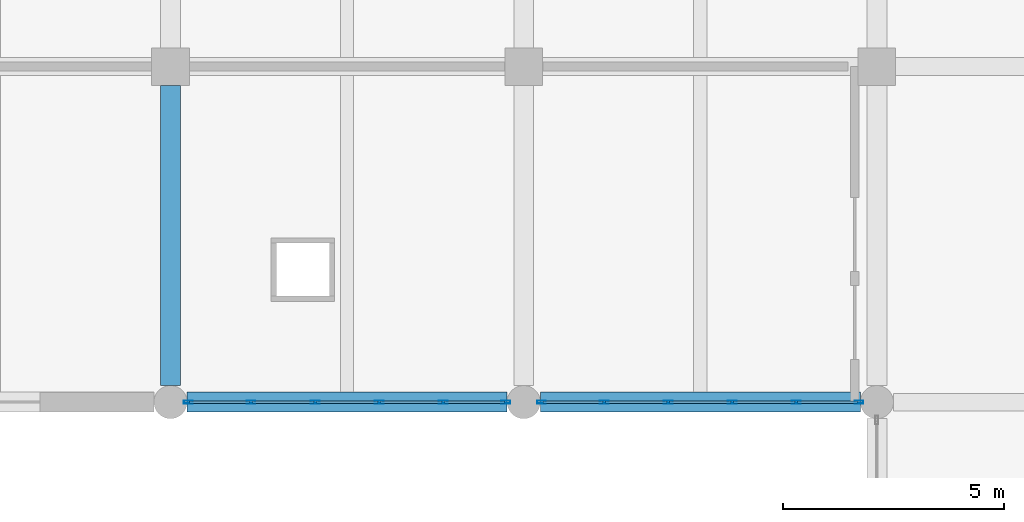
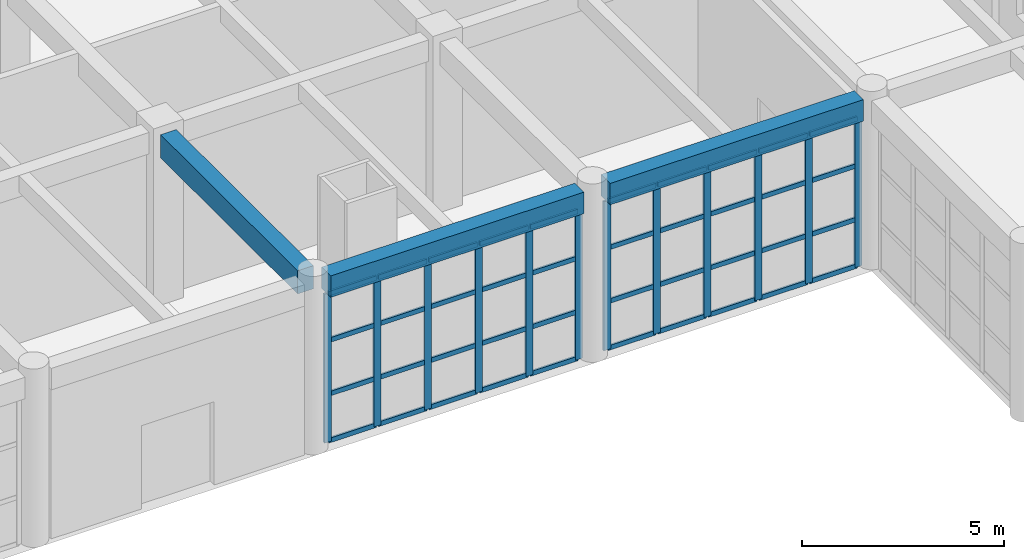
# One storey, part 40 of 95: 52 members, 3 beams, 2 elements without a shape of their own.
"""IFC4 building model written with IfcOpenShell, lengths in metres."""

from ifc_helpers import new_model, si_unit, direction, frame, origin, origin_2d, place, context, subcontext, project, spatial, rectangle, hollow_rectangle, extrude, material, material_profile, profile_set, type_object, element, aggregate, save


model = new_model("IFC4")

# Units and contexts
model_context = context("Model", 3, precision=1e-05, world=origin(), true_north=direction((0.0, 1.0)))
body_context = subcontext(model_context, "Body", "Model", "MODEL_VIEW")
ifc_project = project(units=[si_unit("LENGTHUNIT", "METRE"), si_unit("AREAUNIT", "SQUARE_METRE"), si_unit("VOLUMEUNIT", "CUBIC_METRE"), si_unit("PLANEANGLEUNIT", "RADIAN"), si_unit("MASSUNIT", "GRAM", prefix="KILO")], contexts=[model_context])

# Site, building, storey
site_placement = place(None, origin())
site = spatial("IfcSite", under=ifc_project, at=site_placement, CompositionType="ELEMENT")
building_placement = place(site_placement, origin())
building = spatial("IfcBuilding", under=site, at=building_placement, Name="Zantavel Square City Hall", CompositionType="ELEMENT")
storey_placement = place(building_placement, origin())
storey = spatial("IfcBuildingStorey", under=building, at=storey_placement, Name="L01", CompositionType="ELEMENT", Elevation=0.0)

# Curtain wall, members
ifc_material_1 = material(Name="Anodised aluminium 6063-T6", Category="aluminium")
curtain_wall_type = type_object("IfcCurtainWallType", Name="Curtain Wall CRT 7250x4510", PredefinedType="USERDEFINED", material=ifc_material_1)
curtain_wall_1_placement = place(storey_placement, origin())
curtain_wall_1 = element("IfcCurtainWall", 1, at=curtain_wall_1_placement, inside=storey, type_object=curtain_wall_type, Name="L01 Glazed Curtain Wall CW-L01-018", ObjectType="GLAZED CURTAIN WALL", PredefinedType="USERDEFINED")
ifc_material_profile_1 = material_profile(ifc_material_1, hollow_rectangle(XDim=0.070068359375, YDim=0.199951171875, WallThickness=0.00439453125, at=origin_2d()), Name="ALU 70x200x4.5")
ifc_profile_set_1 = profile_set([ifc_material_profile_1], Name="Anodised aluminium 6063-T6")
member_type_1 = type_object("IfcMemberType", Name="CW Heavy Hall Mullion ALU 70x200x4.5", PredefinedType="MULLION", material=ifc_profile_set_1)
member_1_placement = place(storey_placement, frame((47.594970703125, 68.39990234375, 0.0), z_axis=(0.0, 0.0, 1.0), x_axis=(0.0, -1.0, 0.0)))
member_1 = element("IfcMember", 2, at=member_1_placement, type_object=member_type_1, Name="CW-018 mullion 1", PredefinedType="MULLION", context=body_context, shape_type="SweptSolid", body=[
    extrude(hollow_rectangle(XDim=0.070068359375, YDim=0.199951171875, WallThickness=0.00439453125, at=origin_2d()), origin(), (0.0, 0.0, 1.0), 4.510009765625),
])
member_2_placement = place(storey_placement, frame((46.175048828125, 68.39990234375, 0.0), z_axis=(0.0, 0.0, 1.0), x_axis=(0.0, -1.0, 0.0)))
member_2 = element("IfcMember", 3, at=member_2_placement, type_object=member_type_1, Name="CW-018 mullion 2", PredefinedType="MULLION", context=body_context, shape_type="SweptSolid", body=[
    extrude(hollow_rectangle(XDim=0.070068359375, YDim=0.199951171875, WallThickness=0.00439453125, at=origin_2d()), origin(), (0.0, 0.0, 1.0), 4.510009765625),
])
member_3_placement = place(storey_placement, frame((44.72509765625, 68.39990234375, 0.0), z_axis=(0.0, 0.0, 1.0), x_axis=(0.0, -1.0, 0.0)))
member_3 = element("IfcMember", 4, at=member_3_placement, type_object=member_type_1, Name="CW-018 mullion 3", PredefinedType="MULLION", context=body_context, shape_type="SweptSolid", body=[
    extrude(hollow_rectangle(XDim=0.070068359375, YDim=0.199951171875, WallThickness=0.00439453125, at=origin_2d()), origin(), (0.0, 0.0, 1.0), 4.510009765625),
])
member_4_placement = place(storey_placement, frame((43.27490234375, 68.39990234375, 0.0), z_axis=(0.0, 0.0, 1.0), x_axis=(0.0, -1.0, 0.0)))
member_4 = element("IfcMember", 5, at=member_4_placement, type_object=member_type_1, Name="CW-018 mullion 4", PredefinedType="MULLION", context=body_context, shape_type="SweptSolid", body=[
    extrude(hollow_rectangle(XDim=0.070068359375, YDim=0.199951171875, WallThickness=0.00439453125, at=origin_2d()), origin(), (0.0, 0.0, 1.0), 4.510009765625),
])
member_5_placement = place(storey_placement, frame((41.824951171875, 68.39990234375, 0.0), z_axis=(0.0, 0.0, 1.0), x_axis=(0.0, -1.0, 0.0)))
member_5 = element("IfcMember", 6, at=member_5_placement, type_object=member_type_1, Name="CW-018 mullion 5", PredefinedType="MULLION", context=body_context, shape_type="SweptSolid", body=[
    extrude(hollow_rectangle(XDim=0.070068359375, YDim=0.199951171875, WallThickness=0.00439453125, at=origin_2d()), origin(), (0.0, 0.0, 1.0), 4.510009765625),
])
member_6_placement = place(storey_placement, frame((40.405029296875, 68.39990234375, 0.0), z_axis=(0.0, 0.0, 1.0), x_axis=(0.0, -1.0, 0.0)))
member_6 = element("IfcMember", 7, at=member_6_placement, type_object=member_type_1, Name="CW-018 mullion 6", PredefinedType="MULLION", context=body_context, shape_type="SweptSolid", body=[
    extrude(hollow_rectangle(XDim=0.070068359375, YDim=0.199951171875, WallThickness=0.00439453125, at=origin_2d()), origin(), (0.0, 0.0, 1.0), 4.510009765625),
])

curtain_wall_2_placement = place(storey_placement, origin())
curtain_wall_2 = element("IfcCurtainWall", 8, at=curtain_wall_2_placement, inside=storey, type_object=curtain_wall_type, Name="L01 Glazed Curtain Wall CW-L01-019", ObjectType="GLAZED CURTAIN WALL", PredefinedType="USERDEFINED")
member_7_placement = place(storey_placement, frame((39.594970703125, 68.39990234375, 0.0), z_axis=(0.0, 0.0, 1.0), x_axis=(0.0, -1.0, 0.0)))
member_7 = element("IfcMember", 9, at=member_7_placement, type_object=member_type_1, Name="CW-019 mullion 1", PredefinedType="MULLION", context=body_context, shape_type="SweptSolid", body=[
    extrude(hollow_rectangle(XDim=0.070068359375, YDim=0.199951171875, WallThickness=0.00439453125, at=origin_2d()), origin(), (0.0, 0.0, 1.0), 4.510009765625),
])
member_8_placement = place(storey_placement, frame((38.175048828125, 68.39990234375, 0.0), z_axis=(0.0, 0.0, 1.0), x_axis=(0.0, -1.0, 0.0)))
member_8 = element("IfcMember", 10, at=member_8_placement, type_object=member_type_1, Name="CW-019 mullion 2", PredefinedType="MULLION", context=body_context, shape_type="SweptSolid", body=[
    extrude(hollow_rectangle(XDim=0.070068359375, YDim=0.199951171875, WallThickness=0.00439453125, at=origin_2d()), origin(), (0.0, 0.0, 1.0), 4.510009765625),
])
member_9_placement = place(storey_placement, frame((36.72509765625, 68.39990234375, 0.0), z_axis=(0.0, 0.0, 1.0), x_axis=(0.0, -1.0, 0.0)))
member_9 = element("IfcMember", 11, at=member_9_placement, type_object=member_type_1, Name="CW-019 mullion 3", PredefinedType="MULLION", context=body_context, shape_type="SweptSolid", body=[
    extrude(hollow_rectangle(XDim=0.070068359375, YDim=0.199951171875, WallThickness=0.00439453125, at=origin_2d()), origin(), (0.0, 0.0, 1.0), 4.510009765625),
])
member_10_placement = place(storey_placement, frame((35.27490234375, 68.39990234375, 0.0), z_axis=(0.0, 0.0, 1.0), x_axis=(0.0, -1.0, 0.0)))
member_10 = element("IfcMember", 12, at=member_10_placement, type_object=member_type_1, Name="CW-019 mullion 4", PredefinedType="MULLION", context=body_context, shape_type="SweptSolid", body=[
    extrude(hollow_rectangle(XDim=0.070068359375, YDim=0.199951171875, WallThickness=0.00439453125, at=origin_2d()), origin(), (0.0, 0.0, 1.0), 4.510009765625),
])
member_11_placement = place(storey_placement, frame((33.824951171875, 68.39990234375, 0.0), z_axis=(0.0, 0.0, 1.0), x_axis=(0.0, -1.0, 0.0)))
member_11 = element("IfcMember", 13, at=member_11_placement, type_object=member_type_1, Name="CW-019 mullion 5", PredefinedType="MULLION", context=body_context, shape_type="SweptSolid", body=[
    extrude(hollow_rectangle(XDim=0.070068359375, YDim=0.199951171875, WallThickness=0.00439453125, at=origin_2d()), origin(), (0.0, 0.0, 1.0), 4.510009765625),
])
member_12_placement = place(storey_placement, frame((32.405029296875, 68.39990234375, 0.0), z_axis=(0.0, 0.0, 1.0), x_axis=(0.0, -1.0, 0.0)))
member_12 = element("IfcMember", 14, at=member_12_placement, type_object=member_type_1, Name="CW-019 mullion 6", PredefinedType="MULLION", context=body_context, shape_type="SweptSolid", body=[
    extrude(hollow_rectangle(XDim=0.070068359375, YDim=0.199951171875, WallThickness=0.00439453125, at=origin_2d()), origin(), (0.0, 0.0, 1.0), 4.510009765625),
])

# Member
ifc_material_profile_2 = material_profile(ifc_material_1, hollow_rectangle(XDim=0.06005859375, YDim=0.139892578125, WallThickness=0.00390625, at=origin_2d()), Name="ALU 60x140x4")
ifc_profile_set_2 = profile_set([ifc_material_profile_2], Name="Anodised aluminium 6063-T6")
member_type_2 = type_object("IfcMemberType", Name="CW Transom ALU 60x140x4", PredefinedType="USERDEFINED", material=ifc_profile_set_2)
member_13_placement = place(storey_placement, frame((47.56494140625, 68.39990234375, 0.030029296875), z_axis=(-1.0, 0.0, 0.0), x_axis=(0.0, -1.0, 0.0)))
member_13 = element("IfcMember", 15, at=member_13_placement, type_object=member_type_2, Name="CW-018 transom 1.1", ObjectType="TRANSOM", PredefinedType="USERDEFINED", context=body_context, shape_type="SweptSolid", body=[
    extrude(hollow_rectangle(XDim=0.06005859375, YDim=0.139892578125, WallThickness=0.00390625, at=origin_2d()), origin(), (0.0, 0.0, 1.0), 1.35986328125),
])

member_14_placement = place(storey_placement, frame((47.56494140625, 68.39990234375, 1.443115234375), z_axis=(-1.0, 0.0, 0.0), x_axis=(0.0, -1.0, 0.0)))
member_14 = element("IfcMember", 16, at=member_14_placement, type_object=member_type_2, Name="CW-018 transom 1.2", ObjectType="TRANSOM", PredefinedType="USERDEFINED", context=body_context, shape_type="SweptSolid", body=[
    extrude(hollow_rectangle(XDim=0.06005859375, YDim=0.139892578125, WallThickness=0.00390625, at=origin_2d()), origin(), (0.0, 0.0, 1.0), 1.35986328125),
])

member_15_placement = place(storey_placement, frame((47.56494140625, 68.39990234375, 3.06689453125), z_axis=(-1.0, 0.0, 0.0), x_axis=(0.0, -1.0, 0.0)))
member_15 = element("IfcMember", 17, at=member_15_placement, type_object=member_type_2, Name="CW-018 transom 1.3", ObjectType="TRANSOM", PredefinedType="USERDEFINED", context=body_context, shape_type="SweptSolid", body=[
    extrude(hollow_rectangle(XDim=0.06005859375, YDim=0.139892578125, WallThickness=0.00390625, at=origin_2d()), origin(), (0.0, 0.0, 1.0), 1.35986328125),
])

member_16_placement = place(storey_placement, frame((47.56494140625, 68.39990234375, 4.47998046875), z_axis=(-1.0, 0.0, 0.0), x_axis=(0.0, -1.0, 0.0)))
member_16 = element("IfcMember", 18, at=member_16_placement, type_object=member_type_2, Name="CW-018 transom 1.4", ObjectType="TRANSOM", PredefinedType="USERDEFINED", context=body_context, shape_type="SweptSolid", body=[
    extrude(hollow_rectangle(XDim=0.06005859375, YDim=0.139892578125, WallThickness=0.00390625, at=origin_2d()), origin(), (0.0, 0.0, 1.0), 1.35986328125),
])

member_17_placement = place(storey_placement, frame((46.14501953125, 68.39990234375, 0.030029296875), z_axis=(-1.0, 0.0, 0.0), x_axis=(0.0, -1.0, 0.0)))
member_17 = element("IfcMember", 19, at=member_17_placement, type_object=member_type_2, Name="CW-018 transom 2.1", ObjectType="TRANSOM", PredefinedType="USERDEFINED", context=body_context, shape_type="SweptSolid", body=[
    extrude(hollow_rectangle(XDim=0.06005859375, YDim=0.139892578125, WallThickness=0.00390625, at=origin_2d()), origin(), (0.0, 0.0, 1.0), 1.39013671875),
])

member_18_placement = place(storey_placement, frame((46.14501953125, 68.39990234375, 1.443115234375), z_axis=(-1.0, 0.0, 0.0), x_axis=(0.0, -1.0, 0.0)))
member_18 = element("IfcMember", 20, at=member_18_placement, type_object=member_type_2, Name="CW-018 transom 2.2", ObjectType="TRANSOM", PredefinedType="USERDEFINED", context=body_context, shape_type="SweptSolid", body=[
    extrude(hollow_rectangle(XDim=0.06005859375, YDim=0.139892578125, WallThickness=0.00390625, at=origin_2d()), origin(), (0.0, 0.0, 1.0), 1.39013671875),
])

member_19_placement = place(storey_placement, frame((46.14501953125, 68.39990234375, 3.06689453125), z_axis=(-1.0, 0.0, 0.0), x_axis=(0.0, -1.0, 0.0)))
member_19 = element("IfcMember", 21, at=member_19_placement, type_object=member_type_2, Name="CW-018 transom 2.3", ObjectType="TRANSOM", PredefinedType="USERDEFINED", context=body_context, shape_type="SweptSolid", body=[
    extrude(hollow_rectangle(XDim=0.06005859375, YDim=0.139892578125, WallThickness=0.00390625, at=origin_2d()), origin(), (0.0, 0.0, 1.0), 1.39013671875),
])

member_20_placement = place(storey_placement, frame((46.14501953125, 68.39990234375, 4.47998046875), z_axis=(-1.0, 0.0, 0.0), x_axis=(0.0, -1.0, 0.0)))
member_20 = element("IfcMember", 22, at=member_20_placement, type_object=member_type_2, Name="CW-018 transom 2.4", ObjectType="TRANSOM", PredefinedType="USERDEFINED", context=body_context, shape_type="SweptSolid", body=[
    extrude(hollow_rectangle(XDim=0.06005859375, YDim=0.139892578125, WallThickness=0.00390625, at=origin_2d()), origin(), (0.0, 0.0, 1.0), 1.39013671875),
])

member_21_placement = place(storey_placement, frame((44.695068359375, 68.39990234375, 0.030029296875), z_axis=(-1.0, 0.0, 0.0), x_axis=(0.0, -1.0, 0.0)))
member_21 = element("IfcMember", 23, at=member_21_placement, type_object=member_type_2, Name="CW-018 transom 3.1", ObjectType="TRANSOM", PredefinedType="USERDEFINED", context=body_context, shape_type="SweptSolid", body=[
    extrude(hollow_rectangle(XDim=0.06005859375, YDim=0.139892578125, WallThickness=0.00390625, at=origin_2d()), origin(), (0.0, 0.0, 1.0), 1.39013671875),
])

member_22_placement = place(storey_placement, frame((44.695068359375, 68.39990234375, 1.443115234375), z_axis=(-1.0, 0.0, 0.0), x_axis=(0.0, -1.0, 0.0)))
member_22 = element("IfcMember", 24, at=member_22_placement, type_object=member_type_2, Name="CW-018 transom 3.2", ObjectType="TRANSOM", PredefinedType="USERDEFINED", context=body_context, shape_type="SweptSolid", body=[
    extrude(hollow_rectangle(XDim=0.06005859375, YDim=0.139892578125, WallThickness=0.00390625, at=origin_2d()), origin(), (0.0, 0.0, 1.0), 1.39013671875),
])

member_23_placement = place(storey_placement, frame((44.695068359375, 68.39990234375, 3.06689453125), z_axis=(-1.0, 0.0, 0.0), x_axis=(0.0, -1.0, 0.0)))
member_23 = element("IfcMember", 25, at=member_23_placement, type_object=member_type_2, Name="CW-018 transom 3.3", ObjectType="TRANSOM", PredefinedType="USERDEFINED", context=body_context, shape_type="SweptSolid", body=[
    extrude(hollow_rectangle(XDim=0.06005859375, YDim=0.139892578125, WallThickness=0.00390625, at=origin_2d()), origin(), (0.0, 0.0, 1.0), 1.39013671875),
])

member_24_placement = place(storey_placement, frame((44.695068359375, 68.39990234375, 4.47998046875), z_axis=(-1.0, 0.0, 0.0), x_axis=(0.0, -1.0, 0.0)))
member_24 = element("IfcMember", 26, at=member_24_placement, type_object=member_type_2, Name="CW-018 transom 3.4", ObjectType="TRANSOM", PredefinedType="USERDEFINED", context=body_context, shape_type="SweptSolid", body=[
    extrude(hollow_rectangle(XDim=0.06005859375, YDim=0.139892578125, WallThickness=0.00390625, at=origin_2d()), origin(), (0.0, 0.0, 1.0), 1.39013671875),
])

member_25_placement = place(storey_placement, frame((43.2451171875, 68.39990234375, 0.030029296875), z_axis=(-1.0, 0.0, 0.0), x_axis=(0.0, -1.0, 0.0)))
member_25 = element("IfcMember", 27, at=member_25_placement, type_object=member_type_2, Name="CW-018 transom 4.1", ObjectType="TRANSOM", PredefinedType="USERDEFINED", context=body_context, shape_type="SweptSolid", body=[
    extrude(hollow_rectangle(XDim=0.06005859375, YDim=0.139892578125, WallThickness=0.00390625, at=origin_2d()), origin(), (0.0, 0.0, 1.0), 1.39013671875),
])

member_26_placement = place(storey_placement, frame((43.2451171875, 68.39990234375, 1.443115234375), z_axis=(-1.0, 0.0, 0.0), x_axis=(0.0, -1.0, 0.0)))
member_26 = element("IfcMember", 28, at=member_26_placement, type_object=member_type_2, Name="CW-018 transom 4.2", ObjectType="TRANSOM", PredefinedType="USERDEFINED", context=body_context, shape_type="SweptSolid", body=[
    extrude(hollow_rectangle(XDim=0.06005859375, YDim=0.139892578125, WallThickness=0.00390625, at=origin_2d()), origin(), (0.0, 0.0, 1.0), 1.39013671875),
])

member_27_placement = place(storey_placement, frame((43.2451171875, 68.39990234375, 3.06689453125), z_axis=(-1.0, 0.0, 0.0), x_axis=(0.0, -1.0, 0.0)))
member_27 = element("IfcMember", 29, at=member_27_placement, type_object=member_type_2, Name="CW-018 transom 4.3", ObjectType="TRANSOM", PredefinedType="USERDEFINED", context=body_context, shape_type="SweptSolid", body=[
    extrude(hollow_rectangle(XDim=0.06005859375, YDim=0.139892578125, WallThickness=0.00390625, at=origin_2d()), origin(), (0.0, 0.0, 1.0), 1.39013671875),
])

member_28_placement = place(storey_placement, frame((43.2451171875, 68.39990234375, 4.47998046875), z_axis=(-1.0, 0.0, 0.0), x_axis=(0.0, -1.0, 0.0)))
member_28 = element("IfcMember", 30, at=member_28_placement, type_object=member_type_2, Name="CW-018 transom 4.4", ObjectType="TRANSOM", PredefinedType="USERDEFINED", context=body_context, shape_type="SweptSolid", body=[
    extrude(hollow_rectangle(XDim=0.06005859375, YDim=0.139892578125, WallThickness=0.00390625, at=origin_2d()), origin(), (0.0, 0.0, 1.0), 1.39013671875),
])

member_29_placement = place(storey_placement, frame((41.794921875, 68.39990234375, 0.030029296875), z_axis=(-1.0, 0.0, 0.0), x_axis=(0.0, -1.0, 0.0)))
member_29 = element("IfcMember", 31, at=member_29_placement, type_object=member_type_2, Name="CW-018 transom 5.1", ObjectType="TRANSOM", PredefinedType="USERDEFINED", context=body_context, shape_type="SweptSolid", body=[
    extrude(hollow_rectangle(XDim=0.06005859375, YDim=0.139892578125, WallThickness=0.00390625, at=origin_2d()), origin(), (0.0, 0.0, 1.0), 1.35986328125),
])

member_30_placement = place(storey_placement, frame((41.794921875, 68.39990234375, 1.443115234375), z_axis=(-1.0, 0.0, 0.0), x_axis=(0.0, -1.0, 0.0)))
member_30 = element("IfcMember", 32, at=member_30_placement, type_object=member_type_2, Name="CW-018 transom 5.2", ObjectType="TRANSOM", PredefinedType="USERDEFINED", context=body_context, shape_type="SweptSolid", body=[
    extrude(hollow_rectangle(XDim=0.06005859375, YDim=0.139892578125, WallThickness=0.00390625, at=origin_2d()), origin(), (0.0, 0.0, 1.0), 1.35986328125),
])

member_31_placement = place(storey_placement, frame((41.794921875, 68.39990234375, 3.06689453125), z_axis=(-1.0, 0.0, 0.0), x_axis=(0.0, -1.0, 0.0)))
member_31 = element("IfcMember", 33, at=member_31_placement, type_object=member_type_2, Name="CW-018 transom 5.3", ObjectType="TRANSOM", PredefinedType="USERDEFINED", context=body_context, shape_type="SweptSolid", body=[
    extrude(hollow_rectangle(XDim=0.06005859375, YDim=0.139892578125, WallThickness=0.00390625, at=origin_2d()), origin(), (0.0, 0.0, 1.0), 1.35986328125),
])

member_32_placement = place(storey_placement, frame((41.794921875, 68.39990234375, 4.47998046875), z_axis=(-1.0, 0.0, 0.0), x_axis=(0.0, -1.0, 0.0)))
member_32 = element("IfcMember", 34, at=member_32_placement, type_object=member_type_2, Name="CW-018 transom 5.4", ObjectType="TRANSOM", PredefinedType="USERDEFINED", context=body_context, shape_type="SweptSolid", body=[
    extrude(hollow_rectangle(XDim=0.06005859375, YDim=0.139892578125, WallThickness=0.00390625, at=origin_2d()), origin(), (0.0, 0.0, 1.0), 1.35986328125),
])

aggregate(curtain_wall_1, [member_1, member_2, member_3, member_4, member_5, member_6, member_13, member_14, member_15, member_16, member_17, member_18, member_19, member_20, member_21, member_22, member_23, member_24, member_25, member_26, member_27, member_28, member_29, member_30, member_31, member_32])

member_33_placement = place(storey_placement, frame((39.56494140625, 68.39990234375, 0.030029296875), z_axis=(-1.0, 0.0, 0.0), x_axis=(0.0, -1.0, 0.0)))
member_33 = element("IfcMember", 35, at=member_33_placement, type_object=member_type_2, Name="CW-019 transom 1.1", ObjectType="TRANSOM", PredefinedType="USERDEFINED", context=body_context, shape_type="SweptSolid", body=[
    extrude(hollow_rectangle(XDim=0.06005859375, YDim=0.139892578125, WallThickness=0.00390625, at=origin_2d()), origin(), (0.0, 0.0, 1.0), 1.35986328125),
])

member_34_placement = place(storey_placement, frame((39.56494140625, 68.39990234375, 1.443115234375), z_axis=(-1.0, 0.0, 0.0), x_axis=(0.0, -1.0, 0.0)))
member_34 = element("IfcMember", 36, at=member_34_placement, type_object=member_type_2, Name="CW-019 transom 1.2", ObjectType="TRANSOM", PredefinedType="USERDEFINED", context=body_context, shape_type="SweptSolid", body=[
    extrude(hollow_rectangle(XDim=0.06005859375, YDim=0.139892578125, WallThickness=0.00390625, at=origin_2d()), origin(), (0.0, 0.0, 1.0), 1.35986328125),
])

member_35_placement = place(storey_placement, frame((39.56494140625, 68.39990234375, 3.06689453125), z_axis=(-1.0, 0.0, 0.0), x_axis=(0.0, -1.0, 0.0)))
member_35 = element("IfcMember", 37, at=member_35_placement, type_object=member_type_2, Name="CW-019 transom 1.3", ObjectType="TRANSOM", PredefinedType="USERDEFINED", context=body_context, shape_type="SweptSolid", body=[
    extrude(hollow_rectangle(XDim=0.06005859375, YDim=0.139892578125, WallThickness=0.00390625, at=origin_2d()), origin(), (0.0, 0.0, 1.0), 1.35986328125),
])

member_36_placement = place(storey_placement, frame((39.56494140625, 68.39990234375, 4.47998046875), z_axis=(-1.0, 0.0, 0.0), x_axis=(0.0, -1.0, 0.0)))
member_36 = element("IfcMember", 38, at=member_36_placement, type_object=member_type_2, Name="CW-019 transom 1.4", ObjectType="TRANSOM", PredefinedType="USERDEFINED", context=body_context, shape_type="SweptSolid", body=[
    extrude(hollow_rectangle(XDim=0.06005859375, YDim=0.139892578125, WallThickness=0.00390625, at=origin_2d()), origin(), (0.0, 0.0, 1.0), 1.35986328125),
])

member_37_placement = place(storey_placement, frame((38.14501953125, 68.39990234375, 0.030029296875), z_axis=(-1.0, 0.0, 0.0), x_axis=(0.0, -1.0, 0.0)))
member_37 = element("IfcMember", 39, at=member_37_placement, type_object=member_type_2, Name="CW-019 transom 2.1", ObjectType="TRANSOM", PredefinedType="USERDEFINED", context=body_context, shape_type="SweptSolid", body=[
    extrude(hollow_rectangle(XDim=0.06005859375, YDim=0.139892578125, WallThickness=0.00390625, at=origin_2d()), origin(), (0.0, 0.0, 1.0), 1.39013671875),
])

member_38_placement = place(storey_placement, frame((38.14501953125, 68.39990234375, 1.443115234375), z_axis=(-1.0, 0.0, 0.0), x_axis=(0.0, -1.0, 0.0)))
member_38 = element("IfcMember", 40, at=member_38_placement, type_object=member_type_2, Name="CW-019 transom 2.2", ObjectType="TRANSOM", PredefinedType="USERDEFINED", context=body_context, shape_type="SweptSolid", body=[
    extrude(hollow_rectangle(XDim=0.06005859375, YDim=0.139892578125, WallThickness=0.00390625, at=origin_2d()), origin(), (0.0, 0.0, 1.0), 1.39013671875),
])

member_39_placement = place(storey_placement, frame((38.14501953125, 68.39990234375, 3.06689453125), z_axis=(-1.0, 0.0, 0.0), x_axis=(0.0, -1.0, 0.0)))
member_39 = element("IfcMember", 41, at=member_39_placement, type_object=member_type_2, Name="CW-019 transom 2.3", ObjectType="TRANSOM", PredefinedType="USERDEFINED", context=body_context, shape_type="SweptSolid", body=[
    extrude(hollow_rectangle(XDim=0.06005859375, YDim=0.139892578125, WallThickness=0.00390625, at=origin_2d()), origin(), (0.0, 0.0, 1.0), 1.39013671875),
])

member_40_placement = place(storey_placement, frame((38.14501953125, 68.39990234375, 4.47998046875), z_axis=(-1.0, 0.0, 0.0), x_axis=(0.0, -1.0, 0.0)))
member_40 = element("IfcMember", 42, at=member_40_placement, type_object=member_type_2, Name="CW-019 transom 2.4", ObjectType="TRANSOM", PredefinedType="USERDEFINED", context=body_context, shape_type="SweptSolid", body=[
    extrude(hollow_rectangle(XDim=0.06005859375, YDim=0.139892578125, WallThickness=0.00390625, at=origin_2d()), origin(), (0.0, 0.0, 1.0), 1.39013671875),
])

member_41_placement = place(storey_placement, frame((36.695068359375, 68.39990234375, 0.030029296875), z_axis=(-1.0, 0.0, 0.0), x_axis=(0.0, -1.0, 0.0)))
member_41 = element("IfcMember", 43, at=member_41_placement, type_object=member_type_2, Name="CW-019 transom 3.1", ObjectType="TRANSOM", PredefinedType="USERDEFINED", context=body_context, shape_type="SweptSolid", body=[
    extrude(hollow_rectangle(XDim=0.06005859375, YDim=0.139892578125, WallThickness=0.00390625, at=origin_2d()), origin(), (0.0, 0.0, 1.0), 1.39013671875),
])

member_42_placement = place(storey_placement, frame((36.695068359375, 68.39990234375, 1.443115234375), z_axis=(-1.0, 0.0, 0.0), x_axis=(0.0, -1.0, 0.0)))
member_42 = element("IfcMember", 44, at=member_42_placement, type_object=member_type_2, Name="CW-019 transom 3.2", ObjectType="TRANSOM", PredefinedType="USERDEFINED", context=body_context, shape_type="SweptSolid", body=[
    extrude(hollow_rectangle(XDim=0.06005859375, YDim=0.139892578125, WallThickness=0.00390625, at=origin_2d()), origin(), (0.0, 0.0, 1.0), 1.39013671875),
])

member_43_placement = place(storey_placement, frame((36.695068359375, 68.39990234375, 3.06689453125), z_axis=(-1.0, 0.0, 0.0), x_axis=(0.0, -1.0, 0.0)))
member_43 = element("IfcMember", 45, at=member_43_placement, type_object=member_type_2, Name="CW-019 transom 3.3", ObjectType="TRANSOM", PredefinedType="USERDEFINED", context=body_context, shape_type="SweptSolid", body=[
    extrude(hollow_rectangle(XDim=0.06005859375, YDim=0.139892578125, WallThickness=0.00390625, at=origin_2d()), origin(), (0.0, 0.0, 1.0), 1.39013671875),
])

member_44_placement = place(storey_placement, frame((36.695068359375, 68.39990234375, 4.47998046875), z_axis=(-1.0, 0.0, 0.0), x_axis=(0.0, -1.0, 0.0)))
member_44 = element("IfcMember", 46, at=member_44_placement, type_object=member_type_2, Name="CW-019 transom 3.4", ObjectType="TRANSOM", PredefinedType="USERDEFINED", context=body_context, shape_type="SweptSolid", body=[
    extrude(hollow_rectangle(XDim=0.06005859375, YDim=0.139892578125, WallThickness=0.00390625, at=origin_2d()), origin(), (0.0, 0.0, 1.0), 1.39013671875),
])

member_45_placement = place(storey_placement, frame((35.2451171875, 68.39990234375, 0.030029296875), z_axis=(-1.0, 0.0, 0.0), x_axis=(0.0, -1.0, 0.0)))
member_45 = element("IfcMember", 47, at=member_45_placement, type_object=member_type_2, Name="CW-019 transom 4.1", ObjectType="TRANSOM", PredefinedType="USERDEFINED", context=body_context, shape_type="SweptSolid", body=[
    extrude(hollow_rectangle(XDim=0.06005859375, YDim=0.139892578125, WallThickness=0.00390625, at=origin_2d()), origin(), (0.0, 0.0, 1.0), 1.39013671875),
])

member_46_placement = place(storey_placement, frame((35.2451171875, 68.39990234375, 1.443115234375), z_axis=(-1.0, 0.0, 0.0), x_axis=(0.0, -1.0, 0.0)))
member_46 = element("IfcMember", 48, at=member_46_placement, type_object=member_type_2, Name="CW-019 transom 4.2", ObjectType="TRANSOM", PredefinedType="USERDEFINED", context=body_context, shape_type="SweptSolid", body=[
    extrude(hollow_rectangle(XDim=0.06005859375, YDim=0.139892578125, WallThickness=0.00390625, at=origin_2d()), origin(), (0.0, 0.0, 1.0), 1.39013671875),
])

member_47_placement = place(storey_placement, frame((35.2451171875, 68.39990234375, 3.06689453125), z_axis=(-1.0, 0.0, 0.0), x_axis=(0.0, -1.0, 0.0)))
member_47 = element("IfcMember", 49, at=member_47_placement, type_object=member_type_2, Name="CW-019 transom 4.3", ObjectType="TRANSOM", PredefinedType="USERDEFINED", context=body_context, shape_type="SweptSolid", body=[
    extrude(hollow_rectangle(XDim=0.06005859375, YDim=0.139892578125, WallThickness=0.00390625, at=origin_2d()), origin(), (0.0, 0.0, 1.0), 1.39013671875),
])

member_48_placement = place(storey_placement, frame((35.2451171875, 68.39990234375, 4.47998046875), z_axis=(-1.0, 0.0, 0.0), x_axis=(0.0, -1.0, 0.0)))
member_48 = element("IfcMember", 50, at=member_48_placement, type_object=member_type_2, Name="CW-019 transom 4.4", ObjectType="TRANSOM", PredefinedType="USERDEFINED", context=body_context, shape_type="SweptSolid", body=[
    extrude(hollow_rectangle(XDim=0.06005859375, YDim=0.139892578125, WallThickness=0.00390625, at=origin_2d()), origin(), (0.0, 0.0, 1.0), 1.39013671875),
])

member_49_placement = place(storey_placement, frame((33.794921875, 68.39990234375, 0.030029296875), z_axis=(-1.0, 0.0, 0.0), x_axis=(0.0, -1.0, 0.0)))
member_49 = element("IfcMember", 51, at=member_49_placement, type_object=member_type_2, Name="CW-019 transom 5.1", ObjectType="TRANSOM", PredefinedType="USERDEFINED", context=body_context, shape_type="SweptSolid", body=[
    extrude(hollow_rectangle(XDim=0.06005859375, YDim=0.139892578125, WallThickness=0.00390625, at=origin_2d()), origin(), (0.0, 0.0, 1.0), 1.35986328125),
])

member_50_placement = place(storey_placement, frame((33.794921875, 68.39990234375, 1.443115234375), z_axis=(-1.0, 0.0, 0.0), x_axis=(0.0, -1.0, 0.0)))
member_50 = element("IfcMember", 52, at=member_50_placement, type_object=member_type_2, Name="CW-019 transom 5.2", ObjectType="TRANSOM", PredefinedType="USERDEFINED", context=body_context, shape_type="SweptSolid", body=[
    extrude(hollow_rectangle(XDim=0.06005859375, YDim=0.139892578125, WallThickness=0.00390625, at=origin_2d()), origin(), (0.0, 0.0, 1.0), 1.35986328125),
])

member_51_placement = place(storey_placement, frame((33.794921875, 68.39990234375, 3.06689453125), z_axis=(-1.0, 0.0, 0.0), x_axis=(0.0, -1.0, 0.0)))
member_51 = element("IfcMember", 53, at=member_51_placement, type_object=member_type_2, Name="CW-019 transom 5.3", ObjectType="TRANSOM", PredefinedType="USERDEFINED", context=body_context, shape_type="SweptSolid", body=[
    extrude(hollow_rectangle(XDim=0.06005859375, YDim=0.139892578125, WallThickness=0.00390625, at=origin_2d()), origin(), (0.0, 0.0, 1.0), 1.35986328125),
])

member_52_placement = place(storey_placement, frame((33.794921875, 68.39990234375, 4.47998046875), z_axis=(-1.0, 0.0, 0.0), x_axis=(0.0, -1.0, 0.0)))
member_52 = element("IfcMember", 54, at=member_52_placement, type_object=member_type_2, Name="CW-019 transom 5.4", ObjectType="TRANSOM", PredefinedType="USERDEFINED", context=body_context, shape_type="SweptSolid", body=[
    extrude(hollow_rectangle(XDim=0.06005859375, YDim=0.139892578125, WallThickness=0.00390625, at=origin_2d()), origin(), (0.0, 0.0, 1.0), 1.35986328125),
])

aggregate(curtain_wall_2, [member_7, member_8, member_9, member_10, member_11, member_12, member_33, member_34, member_35, member_36, member_37, member_38, member_39, member_40, member_41, member_42, member_43, member_44, member_45, member_46, member_47, member_48, member_49, member_50, member_51, member_52])

# Beams
ifc_material_2 = material(Name="Concrete C35/45", Category="concrete")
ifc_material_profile_3 = material_profile(ifc_material_2, rectangle(XDim=0.449951171875, YDim=0.64990234375, at=origin_2d()), Name="RC 450x650")
ifc_profile_set_3 = profile_set([ifc_material_profile_3], Name="Concrete C35/45")
beam_type_1 = type_object("IfcBeamType", Name="Courtyard Cloister Girder RC 450x650 C35/45", PredefinedType="BEAM", material=ifc_profile_set_3)
for number, where, z_axis, x_axis, name in (
    (55, (32.375, 68.39990234375, 4.8349609375), (1.0, 0.0, 0.0), (0.0, 1.0, 0.0), "L01 Girder BMX-L01-0320-0684"),
    (56, (40.375, 68.39990234375, 4.8349609375), (1.0, 0.0, 0.0), (0.0, 1.0, 0.0), "L01 Girder BMX-L01-0400-0684"),
):
    element("IfcBeam", number, at=place(storey_placement, frame(where, z_axis=z_axis, x_axis=x_axis)), inside=storey, type_object=beam_type_1, Name=name, PredefinedType="BEAM", context=body_context, shape_type="SweptSolid", body=[
        extrude(rectangle(XDim=0.449951171875, YDim=0.64990234375, at=origin_2d()), origin(), (0.0, 0.0, 1.0), 7.25),
    ])
ifc_material_profile_4 = material_profile(ifc_material_2, rectangle(XDim=0.449951171875, YDim=0.699951171875, at=origin_2d()), Name="RC 450x700")
ifc_profile_set_4 = profile_set([ifc_material_profile_4], Name="Concrete C35/45")
beam_type_2 = type_object("IfcBeamType", Name="Primary Girder RC 450x700 C35/45", PredefinedType="BEAM", material=ifc_profile_set_4)
beam_placement = place(storey_placement, frame((32.0, 68.77490234375, 4.81005859375), z_axis=(0.0, 1.0, 0.0), x_axis=(-1.0, 0.0, 0.0)))
element("IfcBeam", 57, at=beam_placement, inside=storey, type_object=beam_type_2, Name="L01 Beam BMY-L01-0320-0684", PredefinedType="BEAM", context=body_context, shape_type="SweptSolid", body=[
    extrude(rectangle(XDim=0.449951171875, YDim=0.699951171875, at=origin_2d()), origin(), (0.0, 0.0, 1.0), 6.800048828125),
])

save(model, "model.ifc")
